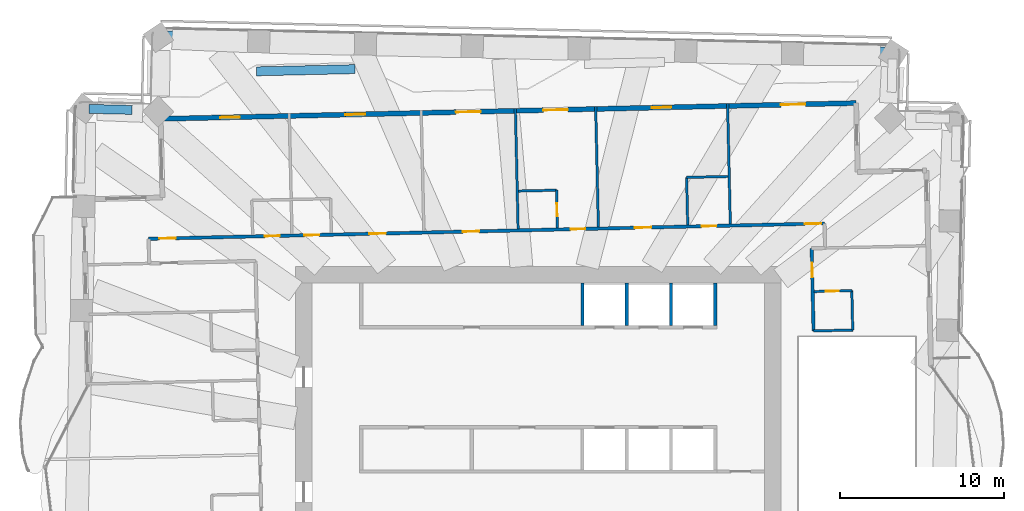
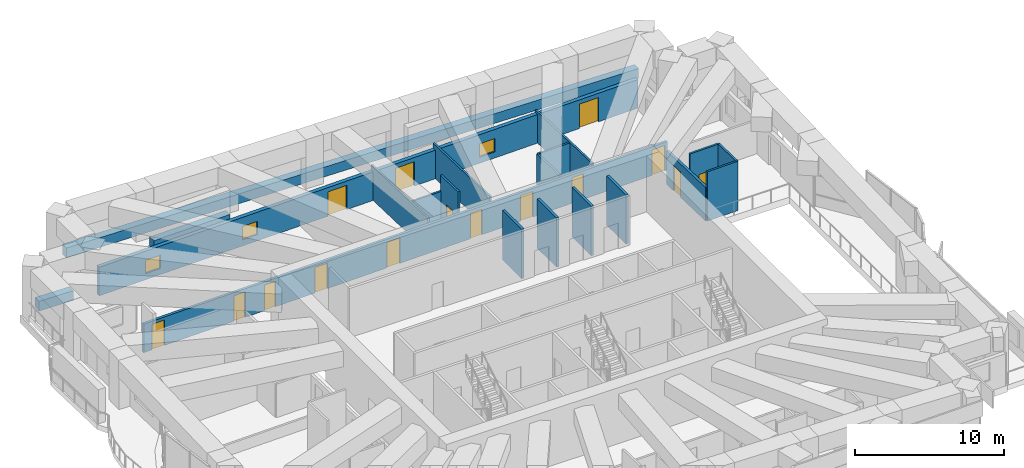
# One storey, part 14 of 21: 20 walls, 15 doors, 3 windows, 18 openings.
"""IFC4 building model written with IfcOpenShell, lengths in metres."""

from ifc_helpers import new_model, si_unit, direction, frame, frame_2d, origin, place, context, subcontext, project, spatial, rectangle, extrude, material, layer, layer_set, type_object, element, fill, save


model = new_model("IFC4")

# Units and contexts
model_context = context("Model", 3, precision=1e-05, world=origin(), true_north=direction((0.0, 1.0)))
body_context = subcontext(model_context, "Body", "Model", "MODEL_VIEW")
ifc_project = project(units=[si_unit("LENGTHUNIT", "METRE"), si_unit("AREAUNIT", "SQUARE_METRE"), si_unit("VOLUMEUNIT", "CUBIC_METRE"), si_unit("PLANEANGLEUNIT", "RADIAN"), si_unit("MASSUNIT", "GRAM", prefix="KILO")], contexts=[model_context])

# Site, building, storey
site_placement = place(None, origin())
site = spatial("IfcSite", under=ifc_project, at=site_placement, CompositionType="ELEMENT")
building_placement = place(site_placement, origin())
building = spatial("IfcBuilding", under=site, at=building_placement, Name="Mangrove Gate Tower", CompositionType="ELEMENT")
storey_placement = place(building_placement, frame((0.0, 0.0, 125.5)))
storey = spatial("IfcBuildingStorey", under=building, at=storey_placement, Name="L31", CompositionType="ELEMENT", Elevation=125.5)

# Walls
ifc_material_1 = material(Name="Concrete C70/85", Category="concrete")
ifc_layer_1 = layer(ifc_material_1, 0.199951171875)
ifc_layer_set_1 = layer_set([ifc_layer_1], Name="Core shaft wall 200 C70/85")
wall_type_1 = type_object("IfcWallType", Name="Core shaft wall 200 C70/85", PredefinedType="SHEAR", material=ifc_layer_set_1)
for number, where, z_axis, x_axis, name in (
    (1, (2.699951171875, 8.199951171875, 0.0), (0.0, 0.0, 1.0), (0.0, 1.0, 0.0), "WALL-L31-CORE-26"),
    (2, (5.39990234375, 8.199951171875, 0.0), (0.0, 0.0, 1.0), (0.0, 1.0, 0.0), "WALL-L31-CORE-27"),
    (3, (8.10009765625, 8.199951171875, 0.0), (0.0, 0.0, 1.0), (0.0, 1.0, 0.0), "WALL-L31-CORE-28"),
    (4, (10.800048828125, 8.199951171875, 0.0), (0.0, 0.0, 1.0), (0.0, 1.0, 0.0), "WALL-L31-CORE-29"),
):
    element("IfcWall", number, at=place(storey_placement, frame(where, z_axis=z_axis, x_axis=x_axis)), inside=storey, type_object=wall_type_1, Name=name, PredefinedType="SHEAR", context=body_context, shape_type="SweptSolid", body=[
        extrude(rectangle(XDim=2.60009765625, YDim=0.199951171875, at=frame_2d((1.300048828125, 0.0))), origin(), (0.0, 0.0, 1.0), 4.050048828125),
    ])

# Wall, opening, door
ifc_material_2 = material(Name="Gypsum board on steel stud, EI 60", Category="steel")
ifc_layer_2 = layer(ifc_material_2, 0.199951171875)
ifc_layer_set_2 = layer_set([ifc_layer_2], Name="Corridor wall EI 60")
wall_type_2 = type_object("IfcWallType", Name="Corridor wall EI 60", PredefinedType="PARTITIONING", material=ifc_layer_set_2)
wall_1_placement = place(storey_placement, frame((16.799072265625, 7.875, 0.0), z_axis=(0.0, 0.0, 1.0), x_axis=(-0.022791754614, 0.999740234222, 0.0)))
wall_1 = element("IfcWall", 5, at=wall_1_placement, inside=storey, type_object=wall_type_2, Name="WALL-L31-045", PredefinedType="PARTITIONING", context=body_context, shape_type="SweptSolid", body=[
    extrude(rectangle(XDim=5.045166015625, YDim=0.199951171875, at=frame_2d((2.5224609375, 0.0))), origin(), (0.0, 0.0, 1.0), 2.75),
])
opening_1_placement = place(wall_1_placement, frame((3.27392578125, 0.0, 0.0)))
opening_1 = element("IfcOpeningElement", 6, at=opening_1_placement, cuts=wall_1, Name="Opening BD", PredefinedType="OPENING", context=body_context, shape_type="SweptSolid", body=[
    extrude(rectangle(XDim=0.89990234375, YDim=2.10009765625, at=frame_2d((0.449951171875, 1.050048828125))), frame((0.0, 0.10986328125, 0.0), z_axis=(0.0, -1.0, 0.0), x_axis=(1.0, 0.0, 0.0)), (0.0, 0.0, 1.0), 0.219970703125),
])
ifc_material_3 = material(Name="Timber door leaf", Category="wood")
door_type_1 = type_object("IfcDoorType", Name="Bedroom door 900", OperationType="SINGLE_SWING_LEFT", PredefinedType="DOOR", material=ifc_material_3)
door_1_placement = place(opening_1_placement, origin())
door_1 = element("IfcDoor", 7, at=door_1_placement, inside=storey, type_object=door_type_1, Name="DOOR-L31-BED-c303", OperationType="SINGLE_SWING_LEFT", OverallHeight=2.10009765625, OverallWidth=0.89990234375, PredefinedType="DOOR", context=body_context, shape_type="SweptSolid", body=[
    extrude(rectangle(XDim=0.89990234375, YDim=2.10009765625, at=frame_2d((0.449951171875, 1.050048828125))), frame((0.0, 0.02490234375, 0.0), z_axis=(0.0, -1.0, 0.0), x_axis=(1.0, 0.0, 0.0)), (0.0, 0.0, 1.0), 0.050048828125),
])
fill(opening_1, door_1)

# Wall, openings, doors
wall_2_placement = place(storey_placement, frame((-23.763916015625, 13.5009765625, 0.0), z_axis=(0.0, 0.0, 1.0), x_axis=(0.999742440266, 0.022694782029, 0.0)))
wall_2 = element("IfcWall", 8, at=wall_2_placement, inside=storey, type_object=wall_type_2, Name="WALL-L31-056", PredefinedType="PARTITIONING", context=body_context, shape_type="SweptSolid", body=[
    extrude(rectangle(XDim=41.24462890625, YDim=0.199951171875, at=frame_2d((20.622314453125, 0.0))), origin(), (0.0, 0.0, 1.0), 2.35009765625),
])
opening_2_placement = place(wall_2_placement, frame((40.044921875, 0.0, 0.0)))
opening_2 = element("IfcOpeningElement", 9, at=opening_2_placement, cuts=wall_2, Name="Opening AD", PredefinedType="OPENING", context=body_context, shape_type="SweptSolid", body=[
    extrude(rectangle(XDim=1.0, YDim=2.10009765625, at=frame_2d((0.5, 1.050048828125))), frame((0.0, 0.10986328125, 0.0), z_axis=(0.0, -1.0, 0.0), x_axis=(1.0, 0.0, 0.0)), (0.0, 0.0, 1.0), 0.219970703125),
])
opening_3_placement = place(wall_2_placement, frame((29.66796875, 0.0, 0.0)))
opening_3 = element("IfcOpeningElement", 10, at=opening_3_placement, cuts=wall_2, Name="Opening AD", PredefinedType="OPENING", context=body_context, shape_type="SweptSolid", body=[
    extrude(rectangle(XDim=1.0, YDim=2.10009765625, at=frame_2d((0.5, 1.050048828125))), frame((0.0, 0.10986328125, 0.0), z_axis=(0.0, -1.0, 0.0), x_axis=(1.0, 0.0, 0.0)), (0.0, 0.0, 1.0), 0.219970703125),
])
opening_4_placement = place(wall_2_placement, frame((33.742919921875, 0.0, 0.0)))
opening_4 = element("IfcOpeningElement", 11, at=opening_4_placement, cuts=wall_2, Name="Opening SD", PredefinedType="OPENING", context=body_context, shape_type="SweptSolid", body=[
    extrude(rectangle(XDim=0.89990234375, YDim=2.10009765625, at=frame_2d((0.449951171875, 1.050048828125))), frame((0.0, 0.10986328125, 0.0), z_axis=(0.0, -1.0, 0.0), x_axis=(1.0, 0.0, 0.0)), (0.0, 0.0, 1.0), 0.219970703125),
])
opening_5_placement = place(wall_2_placement, frame((25.742919921875, 0.0, 0.0)))
opening_5 = element("IfcOpeningElement", 12, at=opening_5_placement, cuts=wall_2, Name="Opening BD", PredefinedType="OPENING", context=body_context, shape_type="SweptSolid", body=[
    extrude(rectangle(XDim=0.89990234375, YDim=2.10009765625, at=frame_2d((0.449951171875, 1.050048828125))), frame((0.0, 0.10986328125, 0.0), z_axis=(0.0, -1.0, 0.0), x_axis=(1.0, 0.0, 0.0)), (0.0, 0.0, 1.0), 0.219970703125),
])
opening_6_placement = place(wall_2_placement, frame((19.16796875, 0.0, 0.0)))
opening_6 = element("IfcOpeningElement", 13, at=opening_6_placement, cuts=wall_2, Name="Opening AD", PredefinedType="OPENING", context=body_context, shape_type="SweptSolid", body=[
    extrude(rectangle(XDim=1.0, YDim=2.10009765625, at=frame_2d((0.5, 1.050048828125))), frame((0.0, 0.10986328125, 0.0), z_axis=(0.0, -1.0, 0.0), x_axis=(1.0, 0.0, 0.0)), (0.0, 0.0, 1.0), 0.219970703125),
])
opening_7_placement = place(wall_2_placement, frame((13.468017578125, 0.0, 0.0)))
opening_7 = element("IfcOpeningElement", 14, at=opening_7_placement, cuts=wall_2, Name="Opening AD", PredefinedType="OPENING", context=body_context, shape_type="SweptSolid", body=[
    extrude(rectangle(XDim=1.0, YDim=2.10009765625, at=frame_2d((0.5, 1.050048828125))), frame((0.0, 0.10986328125, 0.0), z_axis=(0.0, -1.0, 0.0), x_axis=(1.0, 0.0, 0.0)), (0.0, 0.0, 1.0), 0.219970703125),
])
opening_8_placement = place(wall_2_placement, frame((9.492919921875, 0.0, 0.0)))
opening_8 = element("IfcOpeningElement", 15, at=opening_8_placement, cuts=wall_2, Name="Opening SD", PredefinedType="OPENING", context=body_context, shape_type="SweptSolid", body=[
    extrude(rectangle(XDim=0.89990234375, YDim=2.10009765625, at=frame_2d((0.449951171875, 1.050048828125))), frame((0.0, 0.10986328125, 0.0), z_axis=(0.0, -1.0, 0.0), x_axis=(1.0, 0.0, 0.0)), (0.0, 0.0, 1.0), 0.219970703125),
])
opening_9_placement = place(wall_2_placement, frame((0.64306640625, 0.0, 0.0)))
opening_9 = element("IfcOpeningElement", 16, at=opening_9_placement, cuts=wall_2, Name="Opening AD", PredefinedType="OPENING", context=body_context, shape_type="SweptSolid", body=[
    extrude(rectangle(XDim=1.0, YDim=2.10009765625, at=frame_2d((0.5, 1.050048828125))), frame((0.0, 0.10986328125, 0.0), z_axis=(0.0, -1.0, 0.0), x_axis=(1.0, 0.0, 0.0)), (0.0, 0.0, 1.0), 0.219970703125),
])
opening_10_placement = place(wall_2_placement, frame((7.093017578125, 0.0, 0.0)))
opening_10 = element("IfcOpeningElement", 17, at=opening_10_placement, cuts=wall_2, Name="Opening SD", PredefinedType="OPENING", context=body_context, shape_type="SweptSolid", body=[
    extrude(rectangle(XDim=0.89990234375, YDim=2.10009765625, at=frame_2d((0.449951171875, 1.050048828125))), frame((0.0, 0.10986328125, 0.0), z_axis=(0.0, -1.0, 0.0), x_axis=(1.0, 0.0, 0.0)), (0.0, 0.0, 1.0), 0.219970703125),
])
ifc_material_4 = material(Name="Timber door leaf", Category="wood")
door_type_2 = type_object("IfcDoorType", Name="Amenity door 1000", OperationType="SINGLE_SWING_LEFT", PredefinedType="DOOR", material=ifc_material_4)
door_2_placement = place(opening_2_placement, origin())
door_2 = element("IfcDoor", 18, at=door_2_placement, inside=storey, type_object=door_type_2, Name="DOOR-L31-LNG-c4a", OperationType="SINGLE_SWING_LEFT", OverallHeight=2.10009765625, OverallWidth=1.0, PredefinedType="DOOR", context=body_context, shape_type="SweptSolid", body=[
    extrude(rectangle(XDim=1.0, YDim=2.10009765625, at=frame_2d((0.5, 1.050048828125))), frame((0.0, 0.02490234375, 0.0), z_axis=(0.0, -1.0, 0.0), x_axis=(1.0, 0.0, 0.0)), (0.0, 0.0, 1.0), 0.050048828125),
])
fill(opening_2, door_2)
door_3_placement = place(opening_3_placement, origin())
door_3 = element("IfcDoor", 19, at=door_3_placement, inside=storey, type_object=door_type_2, Name="DOOR-L31-LNG-c4b", OperationType="SINGLE_SWING_RIGHT", OverallHeight=2.10009765625, OverallWidth=1.0, PredefinedType="DOOR", context=body_context, shape_type="SweptSolid", body=[
    extrude(rectangle(XDim=1.0, YDim=2.10009765625, at=frame_2d((0.5, 1.050048828125))), frame((0.0, 0.02490234375, 0.0), z_axis=(0.0, -1.0, 0.0), x_axis=(1.0, 0.0, 0.0)), (0.0, 0.0, 1.0), 0.050048828125),
])
fill(opening_3, door_3)
door_4_placement = place(opening_6_placement, origin())
door_4 = element("IfcDoor", 20, at=door_4_placement, inside=storey, type_object=door_type_2, Name="DOOR-L31-KIT-c5a", OperationType="SINGLE_SWING_LEFT", OverallHeight=2.10009765625, OverallWidth=1.0, PredefinedType="DOOR", context=body_context, shape_type="SweptSolid", body=[
    extrude(rectangle(XDim=1.0, YDim=2.10009765625, at=frame_2d((0.5, 1.050048828125))), frame((0.0, 0.02490234375, 0.0), z_axis=(0.0, -1.0, 0.0), x_axis=(1.0, 0.0, 0.0)), (0.0, 0.0, 1.0), 0.050048828125),
])
fill(opening_6, door_4)
door_5_placement = place(opening_7_placement, origin())
door_5 = element("IfcDoor", 21, at=door_5_placement, inside=storey, type_object=door_type_2, Name="DOOR-L31-LNG-c5a", OperationType="SINGLE_SWING_RIGHT", OverallHeight=2.10009765625, OverallWidth=1.0, PredefinedType="DOOR", context=body_context, shape_type="SweptSolid", body=[
    extrude(rectangle(XDim=1.0, YDim=2.10009765625, at=frame_2d((0.5, 1.050048828125))), frame((0.0, 0.02490234375, 0.0), z_axis=(0.0, -1.0, 0.0), x_axis=(1.0, 0.0, 0.0)), (0.0, 0.0, 1.0), 0.050048828125),
])
fill(opening_7, door_5)
door_6_placement = place(opening_9_placement, origin())
door_6 = element("IfcDoor", 22, at=door_6_placement, inside=storey, type_object=door_type_2, Name="DOOR-L31-LNG-c5b", OperationType="SINGLE_SWING_LEFT", OverallHeight=2.10009765625, OverallWidth=1.0, PredefinedType="DOOR", context=body_context, shape_type="SweptSolid", body=[
    extrude(rectangle(XDim=1.0, YDim=2.10009765625, at=frame_2d((0.5, 1.050048828125))), frame((0.0, 0.02490234375, 0.0), z_axis=(0.0, -1.0, 0.0), x_axis=(1.0, 0.0, 0.0)), (0.0, 0.0, 1.0), 0.050048828125),
])
fill(opening_9, door_6)
door_7_placement = place(opening_5_placement, origin())
door_7 = element("IfcDoor", 23, at=door_7_placement, inside=storey, type_object=door_type_1, Name="DOOR-L31-BED-c404", OperationType="SINGLE_SWING_RIGHT", OverallHeight=2.10009765625, OverallWidth=0.89990234375, PredefinedType="DOOR", context=body_context, shape_type="SweptSolid", body=[
    extrude(rectangle(XDim=0.89990234375, YDim=2.10009765625, at=frame_2d((0.449951171875, 1.050048828125))), frame((0.0, 0.02490234375, 0.0), z_axis=(0.0, -1.0, 0.0), x_axis=(1.0, 0.0, 0.0)), (0.0, 0.0, 1.0), 0.050048828125),
])
fill(opening_5, door_7)
ifc_material_5 = material(Name="Timber door leaf", Category="wood")
door_type_3 = type_object("IfcDoorType", Name="Service room door 900", OperationType="SINGLE_SWING_LEFT", PredefinedType="DOOR", material=ifc_material_5)
door_8_placement = place(opening_4_placement, origin())
door_8 = element("IfcDoor", 24, at=door_8_placement, inside=storey, type_object=door_type_3, Name="DOOR-L31-AWC-c4a", OperationType="SINGLE_SWING_RIGHT", OverallHeight=2.10009765625, OverallWidth=0.89990234375, PredefinedType="DOOR", context=body_context, shape_type="SweptSolid", body=[
    extrude(rectangle(XDim=0.89990234375, YDim=2.10009765625, at=frame_2d((0.449951171875, 1.050048828125))), frame((0.0, 0.02490234375, 0.0), z_axis=(0.0, -1.0, 0.0), x_axis=(1.0, 0.0, 0.0)), (0.0, 0.0, 1.0), 0.050048828125),
])
fill(opening_4, door_8)
door_9_placement = place(opening_8_placement, origin())
door_9 = element("IfcDoor", 25, at=door_9_placement, inside=storey, type_object=door_type_3, Name="DOOR-L31-LIN-c5a", OperationType="SINGLE_SWING_LEFT", OverallHeight=2.10009765625, OverallWidth=0.89990234375, PredefinedType="DOOR", context=body_context, shape_type="SweptSolid", body=[
    extrude(rectangle(XDim=0.89990234375, YDim=2.10009765625, at=frame_2d((0.449951171875, 1.050048828125))), frame((0.0, 0.02490234375, 0.0), z_axis=(0.0, -1.0, 0.0), x_axis=(1.0, 0.0, 0.0)), (0.0, 0.0, 1.0), 0.050048828125),
])
fill(opening_8, door_9)
door_10_placement = place(opening_10_placement, origin())
door_10 = element("IfcDoor", 26, at=door_10_placement, inside=storey, type_object=door_type_3, Name="DOOR-L31-LIN-c5b", OperationType="SINGLE_SWING_RIGHT", OverallHeight=2.10009765625, OverallWidth=0.89990234375, PredefinedType="DOOR", context=body_context, shape_type="SweptSolid", body=[
    extrude(rectangle(XDim=0.89990234375, YDim=2.10009765625, at=frame_2d((0.449951171875, 1.050048828125))), frame((0.0, 0.02490234375, 0.0), z_axis=(0.0, -1.0, 0.0), x_axis=(1.0, 0.0, 0.0)), (0.0, 0.0, 1.0), 0.050048828125),
])
fill(opening_10, door_10)

# Wall, openings, doors, windows
ifc_material_6 = material(Name="Limestone", Category="masonry")
ifc_layer_3 = layer(ifc_material_6, 0.0400390625, Name="Limestone cladding")
ifc_material_7 = material(Name="Ventilated air gap")
ifc_layer_4 = layer(ifc_material_7, 0.0400390625, Name="Ventilated cavity")
ifc_material_8 = material(Name="Mineral wool insulation")
ifc_layer_5 = layer(ifc_material_8, 0.06005859375, Name="Insulation")
ifc_material_9 = material(Name="Breather membrane")
ifc_layer_6 = layer(ifc_material_9, 0.001953125, Name="Breather membrane")
ifc_material_10 = material(Name="Concrete C20/25 blockwork", Category="masonry")
ifc_layer_7 = layer(ifc_material_10, 0.14990234375, Name="Blockwork backing wall")
ifc_material_11 = material(Name="Gypsum plaster")
ifc_layer_8 = layer(ifc_material_11, 0.008056640625, Name="Internal plaster")
ifc_layer_set_3 = layer_set([ifc_layer_3, ifc_layer_4, ifc_layer_5, ifc_layer_6, ifc_layer_7, ifc_layer_8], Name="External wall 300 limestone cladding")
wall_type_3 = type_object("IfcWallType", Name="External wall 300 limestone cladding", PredefinedType="SOLIDWALL", material=ifc_layer_set_3)
wall_3_placement = place(storey_placement, frame((19.39599609375, 21.781982421875, 0.0), z_axis=(0.0, 0.0, 1.0), x_axis=(-0.999742636707, -0.022686126826, 0.0)))
wall_3 = element("IfcWall", 27, at=wall_3_placement, inside=storey, type_object=wall_type_3, Name="WALL-L31-N5", PredefinedType="SOLIDWALL", context=body_context, shape_type="SweptSolid", body=[
    extrude(rectangle(XDim=42.444091796875, YDim=0.300048828125, at=frame_2d((21.22216796875, 0.0))), origin(), (0.0, 0.0, 1.0), 2.35009765625),
])
opening_11_placement = place(wall_3_placement, frame((3.096923828125, 0.0, 0.0)))
opening_11 = element("IfcOpeningElement", 28, at=opening_11_placement, cuts=wall_3, Name="Opening BD3", PredefinedType="OPENING", context=body_context, shape_type="SweptSolid", body=[
    extrude(rectangle(XDim=1.5, YDim=2.0, at=frame_2d((0.75, 1.0))), frame((0.0, 0.159912109375, 0.0), z_axis=(0.0, -1.0, 0.0), x_axis=(1.0, 0.0, 0.0)), (0.0, 0.0, 1.0), 0.320068359375),
])
opening_12_placement = place(wall_3_placement, frame((11.26904296875, 0.0, 0.5)))
opening_12 = element("IfcOpeningElement", 29, at=opening_12_placement, cuts=wall_3, Name="Opening W6", PredefinedType="OPENING", context=body_context, shape_type="SweptSolid", body=[
    extrude(rectangle(XDim=1.199951171875, YDim=1.10009765625, at=frame_2d((0.60009765625, 0.550048828125))), frame((0.0, 0.159912109375, 0.0), z_axis=(0.0, -1.0, 0.0), x_axis=(1.0, 0.0, 0.0)), (0.0, 0.0, 1.0), 0.320068359375),
])
opening_13_placement = place(wall_3_placement, frame((17.593994140625, 0.0, 0.0)))
opening_13 = element("IfcOpeningElement", 30, at=opening_13_placement, cuts=wall_3, Name="Opening BD3", PredefinedType="OPENING", context=body_context, shape_type="SweptSolid", body=[
    extrude(rectangle(XDim=1.5, YDim=2.0, at=frame_2d((0.75, 1.0))), frame((0.0, 0.159912109375, 0.0), z_axis=(0.0, -1.0, 0.0), x_axis=(1.0, 0.0, 0.0)), (0.0, 0.0, 1.0), 0.320068359375),
])
opening_14_placement = place(wall_3_placement, frame((22.9189453125, 0.0, 0.0)))
opening_14 = element("IfcOpeningElement", 31, at=opening_14_placement, cuts=wall_3, Name="Opening BD3", PredefinedType="OPENING", context=body_context, shape_type="SweptSolid", body=[
    extrude(rectangle(XDim=1.5, YDim=2.0, at=frame_2d((0.75, 1.0))), frame((0.0, 0.159912109375, 0.0), z_axis=(0.0, -1.0, 0.0), x_axis=(1.0, 0.0, 0.0)), (0.0, 0.0, 1.0), 0.320068359375),
])
opening_15_placement = place(wall_3_placement, frame((29.968994140625, 0.0, 0.5)))
opening_15 = element("IfcOpeningElement", 32, at=opening_15_placement, cuts=wall_3, Name="Opening W6", PredefinedType="OPENING", context=body_context, shape_type="SweptSolid", body=[
    extrude(rectangle(XDim=1.199951171875, YDim=1.10009765625, at=frame_2d((0.60009765625, 0.550048828125))), frame((0.0, 0.159912109375, 0.0), z_axis=(0.0, -1.0, 0.0), x_axis=(1.0, 0.0, 0.0)), (0.0, 0.0, 1.0), 0.320068359375),
])
opening_16_placement = place(wall_3_placement, frame((37.612060546875, 0.0, 0.5)))
opening_16 = element("IfcOpeningElement", 33, at=opening_16_placement, cuts=wall_3, Name="Opening W6", PredefinedType="OPENING", context=body_context, shape_type="SweptSolid", body=[
    extrude(rectangle(XDim=1.199951171875, YDim=1.10009765625, at=frame_2d((0.60009765625, 0.550048828125))), frame((0.0, 0.159912109375, 0.0), z_axis=(0.0, -1.0, 0.0), x_axis=(1.0, 0.0, 0.0)), (0.0, 0.0, 1.0), 0.320068359375),
])
ifc_material_12 = material(Name="Aluminium frame with laminated clear glass", Category="aluminium")
door_type_4 = type_object("IfcDoorType", Name="Balcony sliding door 1500x2000", OperationType="SLIDING_TO_LEFT", PredefinedType="DOOR", material=ifc_material_12)
door_11_placement = place(opening_11_placement, origin())
door_11 = element("IfcDoor", 34, at=door_11_placement, inside=storey, type_object=door_type_4, Name="DOOR-L31-N5-1", OperationType="SLIDING_TO_LEFT", OverallHeight=2.0, OverallWidth=1.5, PredefinedType="DOOR", context=body_context, shape_type="SweptSolid", body=[
    extrude(rectangle(XDim=1.5, YDim=2.0, at=frame_2d((0.75, 1.0))), frame((0.0, 0.02490234375, 0.0), z_axis=(0.0, -1.0, 0.0), x_axis=(1.0, 0.0, 0.0)), (0.0, 0.0, 1.0), 0.050048828125),
])
fill(opening_11, door_11)
door_12_placement = place(opening_13_placement, origin())
door_12 = element("IfcDoor", 35, at=door_12_placement, inside=storey, type_object=door_type_4, Name="DOOR-L31-N5-3", OperationType="SLIDING_TO_LEFT", OverallHeight=2.0, OverallWidth=1.5, PredefinedType="DOOR", context=body_context, shape_type="SweptSolid", body=[
    extrude(rectangle(XDim=1.5, YDim=2.0, at=frame_2d((0.75, 1.0))), frame((0.0, 0.02490234375, 0.0), z_axis=(0.0, -1.0, 0.0), x_axis=(1.0, 0.0, 0.0)), (0.0, 0.0, 1.0), 0.050048828125),
])
fill(opening_13, door_12)
door_13_placement = place(opening_14_placement, origin())
door_13 = element("IfcDoor", 36, at=door_13_placement, inside=storey, type_object=door_type_4, Name="DOOR-L31-N5-4", OperationType="SLIDING_TO_LEFT", OverallHeight=2.0, OverallWidth=1.5, PredefinedType="DOOR", context=body_context, shape_type="SweptSolid", body=[
    extrude(rectangle(XDim=1.5, YDim=2.0, at=frame_2d((0.75, 1.0))), frame((0.0, 0.02490234375, 0.0), z_axis=(0.0, -1.0, 0.0), x_axis=(1.0, 0.0, 0.0)), (0.0, 0.0, 1.0), 0.050048828125),
])
fill(opening_14, door_13)
ifc_material_13 = material(Name="Aluminium frame with double-glazed low-e glass", Category="aluminium")
window_type = type_object("IfcWindowType", Name="Low window 1200x1100", PartitioningType="SINGLE_PANEL", PredefinedType="WINDOW", material=ifc_material_13)
window_1_placement = place(opening_12_placement, origin())
window_1 = element("IfcWindow", 37, at=window_1_placement, inside=storey, type_object=window_type, Name="WIN-L31-N5-2", OverallHeight=1.10009765625, OverallWidth=1.199951171875, PartitioningType="SINGLE_PANEL", PredefinedType="WINDOW", context=body_context, shape_type="SweptSolid", body=[
    extrude(rectangle(XDim=1.199951171875, YDim=1.10009765625, at=frame_2d((0.60009765625, 0.550048828125))), frame((0.0, 0.030029296875, 0.0), z_axis=(0.0, -1.0, 0.0), x_axis=(1.0, 0.0, 0.0)), (0.0, 0.0, 1.0), 0.06005859375),
])
fill(opening_12, window_1)
window_2_placement = place(opening_15_placement, origin())
window_2 = element("IfcWindow", 38, at=window_2_placement, inside=storey, type_object=window_type, Name="WIN-L31-N5-5", OverallHeight=1.10009765625, OverallWidth=1.199951171875, PartitioningType="SINGLE_PANEL", PredefinedType="WINDOW", context=body_context, shape_type="SweptSolid", body=[
    extrude(rectangle(XDim=1.199951171875, YDim=1.10009765625, at=frame_2d((0.60009765625, 0.550048828125))), frame((0.0, 0.030029296875, 0.0), z_axis=(0.0, -1.0, 0.0), x_axis=(1.0, 0.0, 0.0)), (0.0, 0.0, 1.0), 0.06005859375),
])
fill(opening_15, window_2)
window_3_placement = place(opening_16_placement, origin())
window_3 = element("IfcWindow", 39, at=window_3_placement, inside=storey, type_object=window_type, Name="WIN-L31-N5-6", OverallHeight=1.10009765625, OverallWidth=1.199951171875, PartitioningType="SINGLE_PANEL", PredefinedType="WINDOW", context=body_context, shape_type="SweptSolid", body=[
    extrude(rectangle(XDim=1.199951171875, YDim=1.10009765625, at=frame_2d((0.60009765625, 0.550048828125))), frame((0.0, 0.030029296875, 0.0), z_axis=(0.0, -1.0, 0.0), x_axis=(1.0, 0.0, 0.0)), (0.0, 0.0, 1.0), 0.06005859375),
])
fill(opening_16, window_3)

# Walls
ifc_material_14 = material(Name="Gypsum board on steel stud, EI 60", Category="steel")
ifc_layer_9 = layer(ifc_material_14, 0.14990234375)
ifc_layer_set_4 = layer_set([ifc_layer_9], Name="Party wall 150 EI 60")
wall_type_4 = type_object("IfcWallType", Name="Party wall 150 EI 60", PredefinedType="PARTITIONING", material=ifc_layer_set_4)
wall_4_placement = place(storey_placement, frame((19.18798828125, 7.93310546875, 0.0), z_axis=(0.0, 0.0, 1.0), x_axis=(-0.022892431828, 0.999737933943, 0.0)))
element("IfcWall", 40, at=wall_4_placement, inside=storey, type_object=wall_type_4, Name="WALL-L31-046", PredefinedType="PARTITIONING", context=body_context, shape_type="SweptSolid", body=[
    extrude(rectangle(XDim=2.399658203125, YDim=0.14990234375, at=frame_2d((1.19970703125, 0.0))), origin(), (0.0, 0.0, 1.0), 4.050048828125),
])
wall_5_placement = place(storey_placement, frame((16.7939453125, 7.8798828125, 0.0), z_axis=(0.0, 0.0, 1.0), x_axis=(0.999744925027, 0.022585058854, 0.0)))
element("IfcWall", 41, at=wall_5_placement, inside=storey, type_object=wall_type_4, Name="WALL-L31-047", PredefinedType="PARTITIONING", context=body_context, shape_type="SweptSolid", body=[
    extrude(rectangle(XDim=2.39990234375, YDim=0.14990234375, at=frame_2d((1.199951171875, 0.0))), origin(), (0.0, 0.0, 1.0), 4.050048828125),
])

# Wall, opening, door
wall_6_placement = place(storey_placement, frame((16.839111328125, 10.281005859375, 0.0), z_axis=(0.0, 0.0, 1.0), x_axis=(0.999734549456, 0.023039761813, 0.0)))
wall_6 = element("IfcWall", 42, at=wall_6_placement, inside=storey, type_object=wall_type_4, Name="WALL-L31-049", PredefinedType="PARTITIONING", context=body_context, shape_type="SweptSolid", body=[
    extrude(rectangle(XDim=2.299560546875, YDim=0.14990234375, at=frame_2d((1.14990234375, 0.0))), origin(), (0.0, 0.0, 1.0), 4.050048828125),
])
opening_17_placement = place(wall_6_placement, frame((0.699951171875, 0.0, 0.0)))
opening_17 = element("IfcOpeningElement", 43, at=opening_17_placement, cuts=wall_6, Name="Opening ED", PredefinedType="OPENING", context=body_context, shape_type="SweptSolid", body=[
    extrude(rectangle(XDim=0.800048828125, YDim=2.10009765625, at=frame_2d((0.39990234375, 1.050048828125))), frame((0.0, 0.0849609375, 0.0), z_axis=(0.0, -1.0, 0.0), x_axis=(1.0, 0.0, 0.0)), (0.0, 0.0, 1.0), 0.169921875),
])
ifc_material_15 = material(Name="Timber door leaf", Category="wood")
door_type_5 = type_object("IfcDoorType", Name="En-suite door 800", OperationType="SINGLE_SWING_LEFT", PredefinedType="DOOR", material=ifc_material_15)
door_14_placement = place(opening_17_placement, origin())
door_14 = element("IfcDoor", 44, at=door_14_placement, inside=storey, type_object=door_type_5, Name="DOOR-L31-ENS-c303", OperationType="SINGLE_SWING_LEFT", OverallHeight=2.10009765625, OverallWidth=0.800048828125, PredefinedType="DOOR", context=body_context, shape_type="SweptSolid", body=[
    extrude(rectangle(XDim=0.800048828125, YDim=2.10009765625, at=frame_2d((0.39990234375, 1.050048828125))), frame((0.0, 0.02490234375, 0.0), z_axis=(0.0, -1.0, 0.0), x_axis=(1.0, 0.0, 0.0)), (0.0, 0.0, 1.0), 0.050048828125),
])
fill(opening_17, door_14)

# Wall
wall_7_placement = place(storey_placement, frame((-1.22802734375, 14.113037109375, 0.0), z_axis=(0.0, 0.0, 1.0), x_axis=(-0.022587849492, 0.99974486198, 0.0)))
element("IfcWall", 45, at=wall_7_placement, inside=storey, type_object=wall_type_4, Name="WALL-L31-061", PredefinedType="PARTITIONING", context=body_context, shape_type="SweptSolid", body=[
    extrude(rectangle(XDim=7.349853515625, YDim=0.14990234375, at=frame_2d((3.6748046875, 0.0))), origin(), (0.0, 0.0, 1.0), 2.75),
])

# Wall, opening, door
wall_8_placement = place(storey_placement, frame((1.172119140625, 14.1669921875, 0.0), z_axis=(0.0, 0.0, 1.0), x_axis=(-0.022612884682, 0.999744296031, 0.0)))
wall_8 = element("IfcWall", 46, at=wall_8_placement, inside=storey, type_object=wall_type_4, Name="WALL-L31-062", PredefinedType="PARTITIONING", context=body_context, shape_type="SweptSolid", body=[
    extrude(rectangle(XDim=2.299560546875, YDim=0.14990234375, at=frame_2d((1.14990234375, 0.0))), origin(), (0.0, 0.0, 1.0), 4.050048828125),
])
opening_18_placement = place(wall_8_placement, frame((0.699951171875, 0.0, 0.0)))
opening_18 = element("IfcOpeningElement", 47, at=opening_18_placement, cuts=wall_8, Name="Opening ED", PredefinedType="OPENING", context=body_context, shape_type="SweptSolid", body=[
    extrude(rectangle(XDim=0.800048828125, YDim=2.10009765625, at=frame_2d((0.39990234375, 1.050048828125))), frame((0.0, 0.0849609375, 0.0), z_axis=(0.0, -1.0, 0.0), x_axis=(1.0, 0.0, 0.0)), (0.0, 0.0, 1.0), 0.169921875),
])
door_15_placement = place(opening_18_placement, origin())
door_15 = element("IfcDoor", 48, at=door_15_placement, inside=storey, type_object=door_type_5, Name="DOOR-L31-ENS-c404", OperationType="SINGLE_SWING_RIGHT", OverallHeight=2.10009765625, OverallWidth=0.800048828125, PredefinedType="DOOR", context=body_context, shape_type="SweptSolid", body=[
    extrude(rectangle(XDim=0.800048828125, YDim=2.10009765625, at=frame_2d((0.39990234375, 1.050048828125))), frame((0.0, 0.02490234375, 0.0), z_axis=(0.0, -1.0, 0.0), x_axis=(1.0, 0.0, 0.0)), (0.0, 0.0, 1.0), 0.050048828125),
])
fill(opening_18, door_15)

# Walls
wall_9_placement = place(storey_placement, frame((3.6708984375, 14.22412109375, 0.0), z_axis=(0.0, 0.0, 1.0), x_axis=(-0.022720650804, 0.999741852694, 0.0)))
element("IfcWall", 49, at=wall_9_placement, inside=storey, type_object=wall_type_4, Name="WALL-L31-063", PredefinedType="PARTITIONING", context=body_context, shape_type="SweptSolid", body=[
    extrude(rectangle(XDim=7.349853515625, YDim=0.14990234375, at=frame_2d((3.6748046875, 0.0))), origin(), (0.0, 0.0, 1.0), 2.75),
])
wall_10_placement = place(storey_placement, frame((9.1201171875, 14.346923828125, 0.0), z_axis=(0.0, 0.0, 1.0), x_axis=(-0.022807433839, 0.999739876649, 0.0)))
element("IfcWall", 50, at=wall_10_placement, inside=storey, type_object=wall_type_4, Name="WALL-L31-064", PredefinedType="PARTITIONING", context=body_context, shape_type="SweptSolid", body=[
    extrude(rectangle(XDim=2.90087890625, YDim=0.14990234375, at=frame_2d((1.450439453125, 0.0))), origin(), (0.0, 0.0, 1.0), 2.550048828125),
])
wall_11_placement = place(storey_placement, frame((11.718994140625, 14.406005859375, 0.0), z_axis=(0.0, 0.0, 1.0), x_axis=(-0.022720650804, 0.999741852694, 0.0)))
element("IfcWall", 51, at=wall_11_placement, inside=storey, type_object=wall_type_4, Name="WALL-L31-065", PredefinedType="PARTITIONING", context=body_context, shape_type="SweptSolid", body=[
    extrude(rectangle(XDim=7.349853515625, YDim=0.14990234375, at=frame_2d((3.6748046875, 0.0))), origin(), (0.0, 0.0, 1.0), 2.550048828125),
])
wall_12_placement = place(storey_placement, frame((-1.20703125, 16.4140625, 0.0), z_axis=(0.0, 0.0, 1.0), x_axis=(0.999749954681, 0.022361308448, 0.0)))
element("IfcWall", 52, at=wall_12_placement, inside=storey, type_object=wall_type_4, Name="WALL-L31-067", PredefinedType="PARTITIONING", context=body_context, shape_type="SweptSolid", body=[
    extrude(rectangle(XDim=2.325439453125, YDim=0.14990234375, at=frame_2d((1.16259765625, 0.0))), origin(), (0.0, 0.0, 1.0), 2.75),
])
wall_13_placement = place(storey_placement, frame((9.052001953125, 17.2470703125, 0.0), z_axis=(0.0, 0.0, 1.0), x_axis=(0.9997461113, 0.022532486354, 0.0)))
element("IfcWall", 53, at=wall_13_placement, inside=storey, type_object=wall_type_4, Name="WALL-L31-068", PredefinedType="PARTITIONING", context=body_context, shape_type="SweptSolid", body=[
    extrude(rectangle(XDim=2.524658203125, YDim=0.14990234375, at=frame_2d((1.26220703125, 0.0))), origin(), (0.0, 0.0, 1.0), 2.550048828125),
])
ifc_material_16 = material(Name="Concrete C32/40", Category="concrete")
ifc_layer_10 = layer(ifc_material_16, 0.199951171875, Name="Planter trough wall")
ifc_material_17 = material(Name="Bituminous waterproofing membrane")
ifc_layer_11 = layer(ifc_material_17, 0.0048828125, Name="Waterproofing")
ifc_material_18 = material(Name="Drainage board and gravel")
ifc_layer_12 = layer(ifc_material_18, 0.044921875, Name="Drainage layer")
ifc_material_19 = material(Name="Planting soil")
ifc_layer_13 = layer(ifc_material_19, 0.300048828125, Name="Growing medium")
ifc_layer_set_5 = layer_set([ifc_layer_10, ifc_layer_11, ifc_layer_12, ifc_layer_13], Name="Planter wall 550 C32/40")
wall_type_5 = type_object("IfcWallType", Name="Planter wall 550 C32/40", PredefinedType="USERDEFINED", material=ifc_layer_set_5)
wall_14_placement = place(storey_placement, frame((-17.179931640625, 23.718017578125, 0.0), z_axis=(0.0, 0.0, 1.0), x_axis=(0.999743178102, 0.022662255828, 0.0)))
element("IfcWall", 54, at=wall_14_placement, inside=storey, type_object=wall_type_5, Name="PLANTER L31 N1.1", ObjectType="PLANTER", PredefinedType="USERDEFINED", context=body_context, shape_type="SweptSolid", body=[
    extrude(rectangle(XDim=6.00048828125, YDim=0.550048828125, at=frame_2d((3.000244140625, 0.0))), origin(), (0.0, 0.0, 1.0), 0.800048828125),
])
wall_15_placement = place(storey_placement, frame((-27.412109375, 21.426025390625, 0.0), z_axis=(0.0, 0.0, 1.0), x_axis=(0.999740783297, -0.022767657165, 0.0)))
element("IfcWall", 55, at=wall_15_placement, inside=storey, type_object=wall_type_5, Name="PLANTER L31 T1.2.6", ObjectType="PLANTER", PredefinedType="USERDEFINED", context=body_context, shape_type="SweptSolid", body=[
    extrude(rectangle(XDim=2.637939453125, YDim=0.550048828125, at=frame_2d((1.31884765625, 0.0))), origin(), (0.0, 0.0, 1.0), 0.800048828125),
])
wall_16_placement = place(storey_placement, frame((-22.708984375, 25.919921875, 0.0), z_axis=(0.0, 0.0, 1.0), x_axis=(0.999742770494, -0.022680230258, 0.0)))
element("IfcWall", 56, at=wall_16_placement, inside=storey, type_object=wall_type_5, Name="PLANTER L31 T1.3.6", ObjectType="PLANTER", PredefinedType="USERDEFINED", context=body_context, shape_type="SweptSolid", body=[
    extrude(rectangle(XDim=43.908203125, YDim=0.550048828125, at=frame_2d((21.9541015625, 0.0))), origin(), (0.0, 0.0, 1.0), 0.800048828125),
])

save(model, "model.ifc")
